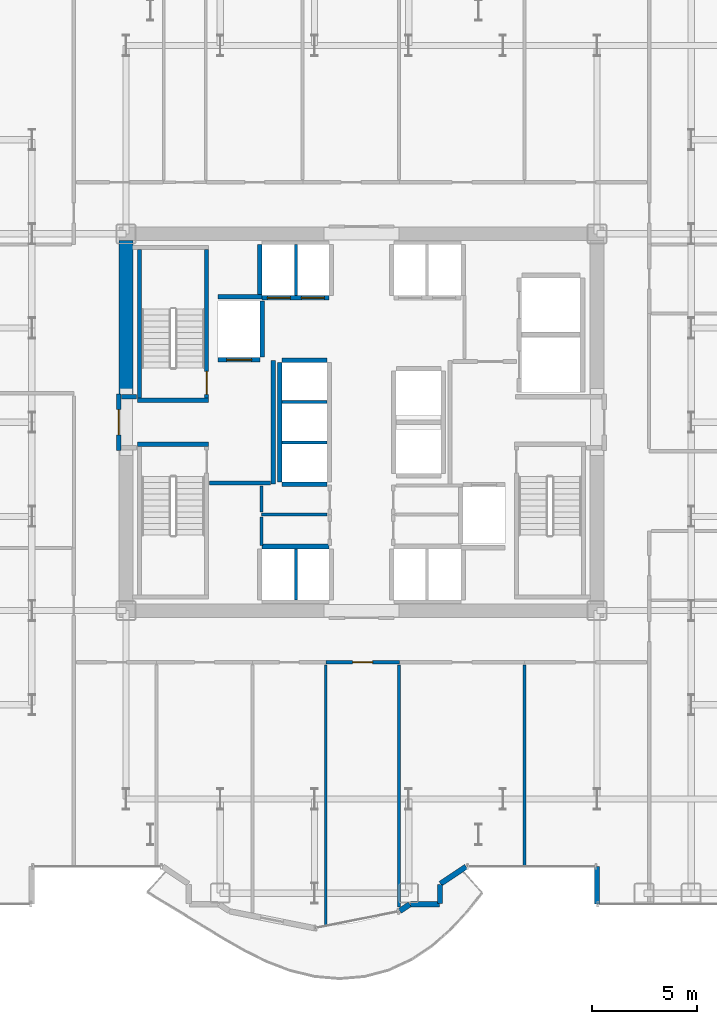
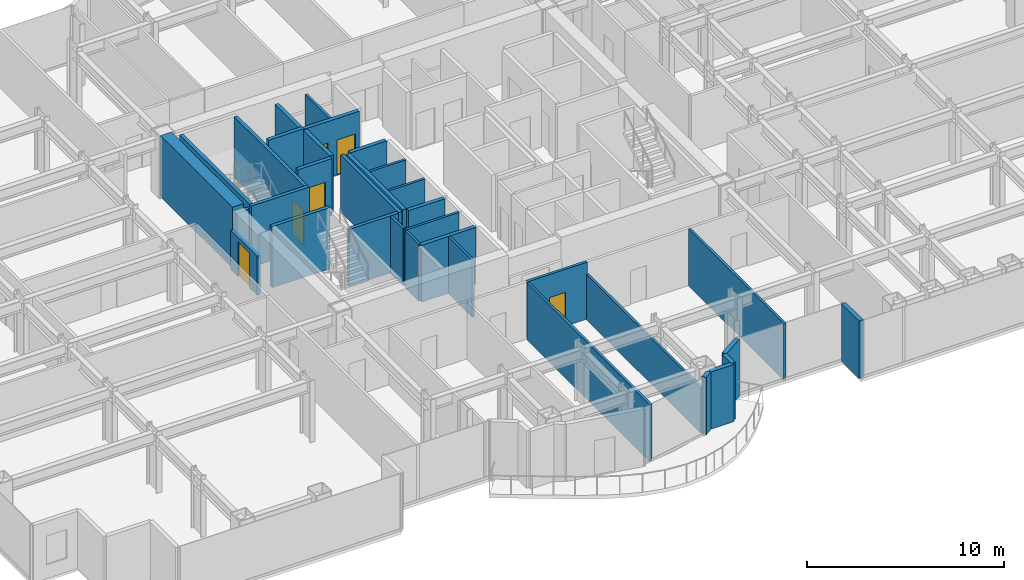
# One storey, part 23 of 29: 34 walls, 6 doors, 6 openings.
"""IFC4 building model written with IfcOpenShell, lengths in metres."""

from ifc_helpers import new_model, si_unit, direction, frame, frame_2d, origin, place, context, subcontext, project, spatial, rectangle, extrude, source, transform, mapped, material, layer, layer_set, type_object, element, fill, save


model = new_model("IFC4")

# Units and contexts
model_context = context("Model", 3, precision=1e-05, world=origin(), true_north=direction((0.0, 1.0)))
body_context = subcontext(model_context, "Body", "Model", "MODEL_VIEW")
ifc_project = project(units=[si_unit("LENGTHUNIT", "METRE"), si_unit("AREAUNIT", "SQUARE_METRE"), si_unit("VOLUMEUNIT", "CUBIC_METRE"), si_unit("PLANEANGLEUNIT", "RADIAN"), si_unit("MASSUNIT", "GRAM", prefix="KILO")], contexts=[model_context])

# Site, building, storey
site_placement = place(None, origin())
site = spatial("IfcSite", under=ifc_project, at=site_placement, CompositionType="ELEMENT")
building_placement = place(site_placement, origin())
building = spatial("IfcBuilding", under=site, at=building_placement, Name="Nefas-Gora Pilgrimage Tower", CompositionType="ELEMENT")
storey_placement = place(building_placement, frame((0.0, 0.0, 55.800048828125)))
storey = spatial("IfcBuildingStorey", under=building, at=storey_placement, Name="L12", CompositionType="ELEMENT", Elevation=55.800048828125)

# Walls
ifc_material_1 = material(Name="Concrete C60/75", Category="concrete")
ifc_layer_1 = layer(ifc_material_1, 0.64990234375)
ifc_layer_set_1 = layer_set([ifc_layer_1], Name="Concrete C60/75")
wall_type_1 = type_object("IfcWallType", Name="SW-CORE-650", PredefinedType="SHEAR", material=ifc_layer_set_1)
shared_shape_1 = source(origin(), body_context, "Body", "SweptSolid", [
    extrude(rectangle(XDim=7.324951171875, YDim=0.64990234375, at=frame_2d((3.66259765625, 0.0))), origin(), (0.0, 0.0, 1.0), 3.800048828125),
])
wall_1_placement = place(storey_placement, frame((-11.25, 1.35009765625, 0.0), z_axis=(0.0, 0.0, 1.0), x_axis=(0.0, 1.0, 0.0)))
element("IfcWall", 1, at=wall_1_placement, inside=storey, type_object=wall_type_1, Name="L12 Core Shear Wall W-North", PredefinedType="SHEAR", context=body_context, shape_type="MappedRepresentation", body=[
    mapped(shared_shape_1, transform((0.0, 0.0, 0.0), x_axis=(1.0, 0.0, 0.0), y_axis=(0.0, 1.0, 0.0), z_axis=(0.0, 0.0, 1.0), scale=1.0)),
])
ifc_material_2 = material(Name="Precast concrete C40/50", Category="concrete")
ifc_layer_2 = layer(ifc_material_2, 0.260009765625)
ifc_layer_set_2 = layer_set([ifc_layer_2], Name="Precast concrete C40/50")
wall_type_2 = type_object("IfcWallType", Name="EW-PORTAL-260", PredefinedType="SOLIDWALL", material=ifc_layer_set_2)
shared_shape_2 = source(origin(), body_context, "Body", "SweptSolid", [
    extrude(rectangle(XDim=1.800048828125, YDim=0.260009765625, at=frame_2d((0.89990234375, 0.0))), origin(), (0.0, 0.0, 1.0), 3.550048828125),
])
wall_2_placement = place(storey_placement, frame((11.25, -21.219970703125, 0.0), z_axis=(0.0, 0.0, 1.0), x_axis=(0.0, -1.0, 0.0)))
element("IfcWall", 2, at=wall_2_placement, inside=storey, type_object=wall_type_2, Name="L12 Lobe Shoulder Precast Spandrel Pier 5", PredefinedType="SOLIDWALL", context=body_context, shape_type="MappedRepresentation", body=[
    mapped(shared_shape_2, transform((0.0, 0.0, 0.0), x_axis=(1.0, 0.0, 0.0), y_axis=(0.0, 1.0, 0.0), z_axis=(0.0, 0.0, 1.0), scale=1.0)),
])
shared_shape_3 = source(origin(), body_context, "Body", "SweptSolid", [
    extrude(rectangle(XDim=1.468994140625, YDim=0.260009765625, at=frame_2d((0.734375, 0.0))), origin(), (0.0, 0.0, 1.0), 3.550048828125),
])
wall_3_placement = place(storey_placement, frame((3.773193359375, -22.0517578125, 0.0), z_axis=(0.0, 0.0, 1.0), x_axis=(0.831461760506, 0.555581983884, 0.0)))
element("IfcWall", 3, at=wall_3_placement, inside=storey, type_object=wall_type_2, Name="L12 Lobe Shoulder Precast Spandrel Pier 42", PredefinedType="SOLIDWALL", context=body_context, shape_type="MappedRepresentation", body=[
    mapped(shared_shape_3, transform((0.0, 0.0, 0.0), x_axis=(1.0, 0.0, 0.0), y_axis=(0.0, 1.0, 0.0), z_axis=(0.0, 0.0, 1.0), scale=1.0)),
])
shared_shape_4 = source(origin(), body_context, "Body", "SweptSolid", [
    extrude(rectangle(XDim=0.896728515625, YDim=0.260009765625, at=frame_2d((0.4482421875, 0.0))), origin(), (0.0, 0.0, 1.0), 3.550048828125),
])
wall_4_placement = place(storey_placement, frame((3.75, -22.991943359375, 0.0), z_axis=(0.0, 0.0, 1.0), x_axis=(0.0, 1.0, 0.0)))
element("IfcWall", 4, at=wall_4_placement, inside=storey, type_object=wall_type_2, Name="L12 Lobe Shoulder Precast Spandrel Pier 41", PredefinedType="SOLIDWALL", context=body_context, shape_type="MappedRepresentation", body=[
    mapped(shared_shape_4, transform((0.0, 0.0, 0.0), x_axis=(1.0, 0.0, 0.0), y_axis=(0.0, 1.0, 0.0), z_axis=(0.0, 0.0, 1.0), scale=1.0)),
])
shared_shape_5 = source(origin(), body_context, "Body", "SweptSolid", [
    extrude(rectangle(XDim=1.369873046875, YDim=0.260009765625, at=frame_2d((0.68505859375, 0.0))), origin(), (0.0, 0.0, 1.0), 3.550048828125),
])
wall_5_placement = place(storey_placement, frame((2.35205078125, -23.02001953125, 0.0), z_axis=(0.0, 0.0, 1.0), x_axis=(1.0, 0.0, 0.0)))
element("IfcWall", 5, at=wall_5_placement, inside=storey, type_object=wall_type_2, Name="L12 Lobe Shoulder Precast Spandrel Pier 40", PredefinedType="SOLIDWALL", context=body_context, shape_type="MappedRepresentation", body=[
    mapped(shared_shape_5, transform((0.0, 0.0, 0.0), x_axis=(1.0, 0.0, 0.0), y_axis=(0.0, 1.0, 0.0), z_axis=(0.0, 0.0, 1.0), scale=1.0)),
])
shared_shape_6 = source(origin(), body_context, "Body", "SweptSolid", [
    extrude(rectangle(XDim=0.5654296875, YDim=0.260009765625, at=frame_2d((0.28271484375, 0.0))), origin(), (0.0, 0.0, 1.0), 3.550048828125),
])
wall_6_placement = place(storey_placement, frame((1.83056640625, -23.349609375, 0.0), z_axis=(0.0, 0.0, 1.0), x_axis=(0.831651492666, 0.555297933317, 0.0)))
element("IfcWall", 6, at=wall_6_placement, inside=storey, type_object=wall_type_2, Name="L12 Lobe Shoulder Precast Spandrel Pier 39", PredefinedType="SOLIDWALL", context=body_context, shape_type="MappedRepresentation", body=[
    mapped(shared_shape_6, transform((0.0, 0.0, 0.0), x_axis=(1.0, 0.0, 0.0), y_axis=(0.0, 1.0, 0.0), z_axis=(0.0, 0.0, 1.0), scale=1.0)),
])
ifc_material_3 = material(Name="Concrete C45/55", Category="concrete")
ifc_layer_3 = layer(ifc_material_3, 0.199951171875)
ifc_layer_set_3 = layer_set([ifc_layer_3], Name="Concrete C45/55")
wall_type_3 = type_object("IfcWallType", Name="IW-STAIR-200", PredefinedType="SOLIDWALL", material=ifc_layer_set_3)
shared_shape_7 = source(origin(), body_context, "Body", "SweptSolid", [
    extrude(rectangle(XDim=3.39990234375, YDim=0.199951171875, at=frame_2d((1.699951171875, 0.0))), origin(), (0.0, 0.0, 1.0), 3.800048828125),
])
for number, where, z_axis, x_axis, name in (
    (7, (-7.300048828125, 1.050048828125, 0.0), (0.0, 0.0, 1.0), (-1.0, 0.0, 0.0), "L12 Stairwell Shear Wall ST-01-near"),
    (8, (-10.699951171875, -1.050048828125, 0.0), (0.0, 0.0, 1.0), (1.0, 0.0, 0.0), "L12 Stairwell Shear Wall ST-03-near"),
):
    element("IfcWall", number, at=place(storey_placement, frame(where, z_axis=z_axis, x_axis=x_axis)), inside=storey, type_object=wall_type_3, Name=name, PredefinedType="SOLIDWALL", context=body_context, shape_type="MappedRepresentation", body=[
        mapped(shared_shape_7, transform((0.0, 0.0, 0.0), x_axis=(1.0, 0.0, 0.0), y_axis=(0.0, 1.0, 0.0), z_axis=(0.0, 0.0, 1.0), scale=1.0)),
    ])

# Wall, opening, door
shared_shape_8 = source(origin(), body_context, "Body", "SweptSolid", [
    extrude(rectangle(XDim=7.10009765625, YDim=0.199951171875, at=frame_2d((3.550048828125, 0.0))), origin(), (0.0, 0.0, 1.0), 3.800048828125),
])
wall_7_placement = place(storey_placement, frame((-7.39990234375, 1.14990234375, 0.0), z_axis=(0.0, 0.0, 1.0), x_axis=(0.0, 1.0, 0.0)))
wall_7 = element("IfcWall", 9, at=wall_7_placement, inside=storey, type_object=wall_type_3, Name="L12 Stairwell Shear Wall ST-01-left", PredefinedType="SOLIDWALL", context=body_context, shape_type="MappedRepresentation", body=[
    mapped(shared_shape_8, transform((0.0, 0.0, 0.0), x_axis=(1.0, 0.0, 0.0), y_axis=(0.0, 1.0, 0.0), z_axis=(0.0, 0.0, 1.0), scale=1.0)),
])
opening_1_placement = place(wall_7_placement, frame((0.179931640625, 0.0, 0.0)))
opening_1 = element("IfcOpeningElement", 10, at=opening_1_placement, cuts=wall_7, Name="Opening ID-ST1", PredefinedType="OPENING", context=body_context, shape_type="SweptSolid", body=[
    extrude(rectangle(XDim=1.10009765625, YDim=2.14990234375, at=frame_2d((0.550048828125, 1.074951171875))), frame((0.0, 0.10986328125, 0.0), z_axis=(0.0, -1.0, 0.0), x_axis=(1.0, 0.0, 0.0)), (0.0, 0.0, 1.0), 0.219970703125),
])
ifc_material_4 = material(Name="Painted galvanised steel fire stair door", Category="steel")
door_type_1 = type_object("IfcDoorType", Name="DR-INT-STAIR-1100", OperationType="NOTDEFINED", PredefinedType="DOOR", material=ifc_material_4)
shared_shape_9 = source(origin(), body_context, "Body", "SweptSolid", [
    extrude(rectangle(XDim=1.10009765625, YDim=2.14990234375, at=frame_2d((0.550048828125, 1.074951171875))), frame((0.0, 0.02490234375, 0.0), z_axis=(0.0, -1.0, 0.0), x_axis=(1.0, 0.0, 0.0)), (0.0, 0.0, 1.0), 0.050048828125),
])
door_1_placement = place(opening_1_placement, origin())
door_1 = element("IfcDoor", 11, at=door_1_placement, inside=storey, type_object=door_type_1, Name="L12 Protected Exit Stair Door ST-01", OperationType="SINGLE_SWING_RIGHT", OverallHeight=2.14990234375, OverallWidth=1.10009765625, PredefinedType="DOOR", context=body_context, shape_type="MappedRepresentation", body=[
    mapped(shared_shape_9, transform((0.0, 0.0, 0.0), x_axis=(1.0, 0.0, 0.0), y_axis=(0.0, 1.0, 0.0), z_axis=(0.0, 0.0, 1.0), scale=1.0)),
])
fill(opening_1, door_1)

# Wall
wall_8_placement = place(storey_placement, frame((-10.60009765625, 1.14990234375, 0.0), z_axis=(0.0, 0.0, 1.0), x_axis=(0.0, 1.0, 0.0)))
element("IfcWall", 12, at=wall_8_placement, inside=storey, type_object=wall_type_3, Name="L12 Stairwell Shear Wall ST-01-right", PredefinedType="SOLIDWALL", context=body_context, shape_type="MappedRepresentation", body=[
    mapped(shared_shape_8, transform((0.0, 0.0, 0.0), x_axis=(1.0, 0.0, 0.0), y_axis=(0.0, 1.0, 0.0), z_axis=(0.0, 0.0, 1.0), scale=1.0)),
])

# Wall, opening, door
ifc_material_5 = material(Name="Concrete C40/50", Category="concrete")
ifc_layer_4 = layer(ifc_material_5, 0.219970703125)
ifc_layer_set_4 = layer_set([ifc_layer_4], Name="Concrete C40/50")
wall_type_4 = type_object("IfcWallType", Name="IW-SHAFT-220", PredefinedType="SOLIDWALL", material=ifc_layer_set_4)
shared_shape_10 = source(origin(), body_context, "Body", "SweptSolid", [
    extrude(rectangle(XDim=2.0, YDim=0.219970703125, at=frame_2d((1.0, 0.0))), origin(), (0.0, 0.0, 1.0), 3.534912109375),
])
wall_9_placement = place(storey_placement, frame((-6.85009765625, 2.989990234375, 0.0), z_axis=(0.0, 0.0, 1.0), x_axis=(1.0, 0.0, 0.0)))
wall_9 = element("IfcWall", 13, at=wall_9_placement, inside=storey, type_object=wall_type_4, Name="L12 Hoistway Wall FFL-01-S", PredefinedType="SOLIDWALL", context=body_context, shape_type="MappedRepresentation", body=[
    mapped(shared_shape_10, transform((0.0, 0.0, 0.0), x_axis=(1.0, 0.0, 0.0), y_axis=(0.0, 1.0, 0.0), z_axis=(0.0, 0.0, 1.0), scale=1.0)),
])
opening_2_placement = place(wall_9_placement, frame((0.39990234375, 0.0, 0.0)))
opening_2 = element("IfcOpeningElement", 14, at=opening_2_placement, cuts=wall_9, Name="Opening LD-FF", PredefinedType="OPENING", context=body_context, shape_type="SweptSolid", body=[
    extrude(rectangle(XDim=1.199951171875, YDim=2.199951171875, at=frame_2d((0.60009765625, 1.10009765625))), frame((0.0, 0.119873046875, 0.0), z_axis=(0.0, -1.0, 0.0), x_axis=(1.0, 0.0, 0.0)), (0.0, 0.0, 1.0), 0.239990234375),
])
ifc_material_6 = material(Name="Fire-service sliding lift landing door")
door_type_2 = type_object("IfcDoorType", Name="DR-LIFT-FSAE-1200", OperationType="SLIDING_TO_LEFT", PredefinedType="DOOR", material=ifc_material_6)
shared_shape_11 = source(origin(), body_context, "Body", "SweptSolid", [
    extrude(rectangle(XDim=1.199951171875, YDim=2.199951171875, at=frame_2d((0.60009765625, 1.10009765625))), frame((0.0, 0.02490234375, 0.0), z_axis=(0.0, -1.0, 0.0), x_axis=(1.0, 0.0, 0.0)), (0.0, 0.0, 1.0), 0.050048828125),
])
door_2_placement = place(opening_2_placement, origin())
door_2 = element("IfcDoor", 15, at=door_2_placement, inside=storey, type_object=door_type_2, Name="L12 Sliding Lift Landing Door FFL-01", OperationType="SLIDING_TO_LEFT", OverallHeight=2.199951171875, OverallWidth=1.199951171875, PredefinedType="DOOR", context=body_context, shape_type="MappedRepresentation", body=[
    mapped(shared_shape_11, transform((0.0, 0.0, 0.0), x_axis=(1.0, 0.0, 0.0), y_axis=(0.0, 1.0, 0.0), z_axis=(0.0, 0.0, 1.0), scale=1.0)),
])
fill(opening_2, door_2)

# Wall
shared_shape_12 = source(origin(), body_context, "Body", "SweptSolid", [
    extrude(rectangle(XDim=2.679931640625, YDim=0.219970703125, at=frame_2d((1.33984375, 0.0))), origin(), (0.0, 0.0, 1.0), 3.534912109375),
])
wall_10_placement = place(storey_placement, frame((-4.739990234375, 3.110107421875, 0.0), z_axis=(0.0, 0.0, 1.0), x_axis=(0.0, 1.0, 0.0)))
element("IfcWall", 16, at=wall_10_placement, inside=storey, type_object=wall_type_4, Name="L12 Hoistway Wall FFL-01-E", PredefinedType="SOLIDWALL", context=body_context, shape_type="MappedRepresentation", body=[
    mapped(shared_shape_12, transform((0.0, 0.0, 0.0), x_axis=(1.0, 0.0, 0.0), y_axis=(0.0, 1.0, 0.0), z_axis=(0.0, 0.0, 1.0), scale=1.0)),
])

# Wall, openings, doors
shared_shape_13 = source(origin(), body_context, "Body", "SweptSolid", [
    extrude(rectangle(XDim=3.199951171875, YDim=0.219970703125, at=frame_2d((1.60009765625, 0.0))), origin(), (0.0, 0.0, 1.0), 3.534912109375),
])
wall_11_placement = place(storey_placement, frame((-4.75, 5.93994140625, 0.0), z_axis=(0.0, 0.0, 1.0), x_axis=(1.0, 0.0, 0.0)))
wall_11 = element("IfcWall", 17, at=wall_11_placement, inside=storey, type_object=wall_type_4, Name="L12 Hoistway Wall PL1-W-S", PredefinedType="SOLIDWALL", context=body_context, shape_type="MappedRepresentation", body=[
    mapped(shared_shape_13, transform((0.0, 0.0, 0.0), x_axis=(1.0, 0.0, 0.0), y_axis=(0.0, 1.0, 0.0), z_axis=(0.0, 0.0, 1.0), scale=1.0)),
])
opening_3_placement = place(wall_11_placement, frame((0.25, 0.0, 0.0)))
opening_3 = element("IfcOpeningElement", 18, at=opening_3_placement, cuts=wall_11, Name="Opening LD-01", PredefinedType="OPENING", context=body_context, shape_type="SweptSolid", body=[
    extrude(rectangle(XDim=1.10009765625, YDim=2.199951171875, at=frame_2d((0.550048828125, 1.10009765625))), frame((0.0, 0.119873046875, 0.0), z_axis=(0.0, -1.0, 0.0), x_axis=(1.0, 0.0, 0.0)), (0.0, 0.0, 1.0), 0.239990234375),
])
opening_4_placement = place(wall_11_placement, frame((1.875, 0.0, 0.0)))
opening_4 = element("IfcOpeningElement", 19, at=opening_4_placement, cuts=wall_11, Name="Opening LD-01", PredefinedType="OPENING", context=body_context, shape_type="SweptSolid", body=[
    extrude(rectangle(XDim=1.10009765625, YDim=2.199951171875, at=frame_2d((0.550048828125, 1.10009765625))), frame((0.0, 0.119873046875, 0.0), z_axis=(0.0, -1.0, 0.0), x_axis=(1.0, 0.0, 0.0)), (0.0, 0.0, 1.0), 0.239990234375),
])
ifc_material_7 = material(Name="Brushed stainless sliding lift landing door")
door_type_3 = type_object("IfcDoorType", Name="DR-LIFT-PASS-1100", OperationType="DOUBLE_DOOR_SLIDING", PredefinedType="DOOR", material=ifc_material_7)
shared_shape_14 = source(origin(), body_context, "Body", "SweptSolid", [
    extrude(rectangle(XDim=1.10009765625, YDim=2.199951171875, at=frame_2d((0.550048828125, 1.10009765625))), frame((0.0, 0.02490234375, 0.0), z_axis=(0.0, -1.0, 0.0), x_axis=(1.0, 0.0, 0.0)), (0.0, 0.0, 1.0), 0.050048828125),
])
door_3_placement = place(opening_3_placement, origin())
door_3 = element("IfcDoor", 20, at=door_3_placement, inside=storey, type_object=door_type_3, Name="L12 Sliding Lift Landing Door PL1-01", OperationType="DOUBLE_DOOR_SLIDING", OverallHeight=2.199951171875, OverallWidth=1.10009765625, PredefinedType="DOOR", context=body_context, shape_type="MappedRepresentation", body=[
    mapped(shared_shape_14, transform((0.0, 0.0, 0.0), x_axis=(1.0, 0.0, 0.0), y_axis=(0.0, 1.0, 0.0), z_axis=(0.0, 0.0, 1.0), scale=1.0)),
])
fill(opening_3, door_3)
door_4_placement = place(opening_4_placement, origin())
door_4 = element("IfcDoor", 21, at=door_4_placement, inside=storey, type_object=door_type_3, Name="L12 Sliding Lift Landing Door PL1-02", OperationType="DOUBLE_DOOR_SLIDING", OverallHeight=2.199951171875, OverallWidth=1.10009765625, PredefinedType="DOOR", context=body_context, shape_type="MappedRepresentation", body=[
    mapped(shared_shape_14, transform((0.0, 0.0, 0.0), x_axis=(1.0, 0.0, 0.0), y_axis=(0.0, 1.0, 0.0), z_axis=(0.0, 0.0, 1.0), scale=1.0)),
])
fill(opening_4, door_4)

# Walls
wall_12_placement = place(storey_placement, frame((-1.550048828125, -5.93994140625, 0.0), z_axis=(0.0, 0.0, 1.0), x_axis=(-1.0, 0.0, 0.0)))
element("IfcWall", 22, at=wall_12_placement, inside=storey, type_object=wall_type_4, Name="L12 Hoistway Wall PL2-W-N", PredefinedType="SOLIDWALL", context=body_context, shape_type="MappedRepresentation", body=[
    mapped(shared_shape_13, transform((0.0, 0.0, 0.0), x_axis=(1.0, 0.0, 0.0), y_axis=(0.0, 1.0, 0.0), z_axis=(0.0, 0.0, 1.0), scale=1.0)),
])
shared_shape_15 = source(origin(), body_context, "Body", "SweptSolid", [
    extrude(rectangle(XDim=2.429931640625, YDim=0.219970703125, at=frame_2d((1.21484375, 0.0))), origin(), (0.0, 0.0, 1.0), 3.534912109375),
])
wall_13_placement = place(storey_placement, frame((-4.860107421875, 8.489990234375, 0.0), z_axis=(0.0, 0.0, 1.0), x_axis=(0.0, -1.0, 0.0)))
element("IfcWall", 23, at=wall_13_placement, inside=storey, type_object=wall_type_4, Name="L12 Hoistway Wall PL1-W-W", PredefinedType="SOLIDWALL", context=body_context, shape_type="MappedRepresentation", body=[
    mapped(shared_shape_15, transform((0.0, 0.0, 0.0), x_axis=(1.0, 0.0, 0.0), y_axis=(0.0, 1.0, 0.0), z_axis=(0.0, 0.0, 1.0), scale=1.0)),
])
ifc_material_8 = material(Name="Gypsum twin-stud partition")
ifc_layer_5 = layer(ifc_material_8, 0.139892578125)
ifc_layer_set_5 = layer_set([ifc_layer_5], Name="Gypsum twin-stud partition")
wall_type_5 = type_object("IfcWallType", Name="IW-UNIT-140", PredefinedType="PARTITIONING", material=ifc_layer_set_5)
shared_shape_16 = source(origin(), body_context, "Body", "SweptSolid", [
    extrude(rectangle(XDim=2.429931640625, YDim=0.139892578125, at=frame_2d((1.21484375, 0.0))), origin(), (0.0, 0.0, 1.0), 3.534912109375),
])
for number, where, z_axis, x_axis, name in (
    (24, (-3.125, 6.06005859375, 0.0), (0.0, 0.0, 1.0), (0.0, 1.0, 0.0), "L12 Hoistway Wall PL1-W-DIV"),
    (25, (-3.125, -8.489990234375, 0.0), (0.0, 0.0, 1.0), (0.0, 1.0, 0.0), "L12 Hoistway Wall PL2-W-DIV"),
):
    element("IfcWall", number, at=place(storey_placement, frame(where, z_axis=z_axis, x_axis=x_axis)), inside=storey, type_object=wall_type_5, Name=name, PredefinedType="PARTITIONING", context=body_context, shape_type="MappedRepresentation", body=[
        mapped(shared_shape_16, transform((0.0, 0.0, 0.0), x_axis=(1.0, 0.0, 0.0), y_axis=(0.0, 1.0, 0.0), z_axis=(0.0, 0.0, 1.0), scale=1.0)),
    ])
shared_shape_17 = source(origin(), body_context, "Body", "SweptSolid", [
    extrude(rectangle(XDim=5.7001953125, YDim=0.219970703125, at=frame_2d((2.85009765625, 0.0))), origin(), (0.0, 0.0, 1.0), 3.534912109375),
])
wall_14_placement = place(storey_placement, frame((-3.909912109375, 2.85009765625, 0.0), z_axis=(0.0, 0.0, 1.0), x_axis=(0.0, -1.0, 0.0)))
element("IfcWall", 26, at=wall_14_placement, inside=storey, type_object=wall_type_4, Name="L12 Hoistway Wall PL3-01-03-W", PredefinedType="SOLIDWALL", context=body_context, shape_type="MappedRepresentation", body=[
    mapped(shared_shape_17, transform((0.0, 0.0, 0.0), x_axis=(1.0, 0.0, 0.0), y_axis=(0.0, 1.0, 0.0), z_axis=(0.0, 0.0, 1.0), scale=1.0)),
])
shared_shape_18 = source(origin(), body_context, "Body", "SweptSolid", [
    extrude(rectangle(XDim=2.130126953125, YDim=0.219970703125, at=frame_2d((1.06494140625, 0.0))), origin(), (0.0, 0.0, 1.0), 3.534912109375),
])
for number, where, z_axis, x_axis, name in (
    (27, (-3.7900390625, -2.9599609375, 0.0), (0.0, 0.0, 1.0), (1.0, 0.0, 0.0), "L12 Hoistway Wall PL3-01-S"),
    (28, (-1.659912109375, 2.9599609375, 0.0), (0.0, 0.0, 1.0), (-1.0, 0.0, 0.0), "L12 Hoistway Wall PL3-03-N"),
):
    element("IfcWall", number, at=place(storey_placement, frame(where, z_axis=z_axis, x_axis=x_axis)), inside=storey, type_object=wall_type_4, Name=name, PredefinedType="SOLIDWALL", context=body_context, shape_type="MappedRepresentation", body=[
        mapped(shared_shape_18, transform((0.0, 0.0, 0.0), x_axis=(1.0, 0.0, 0.0), y_axis=(0.0, 1.0, 0.0), z_axis=(0.0, 0.0, 1.0), scale=1.0)),
    ])
shared_shape_19 = source(origin(), body_context, "Body", "SweptSolid", [
    extrude(rectangle(XDim=2.130126953125, YDim=0.139892578125, at=frame_2d((1.06494140625, 0.0))), origin(), (0.0, 0.0, 1.0), 3.534912109375),
])
for number, where, z_axis, x_axis, name in (
    (29, (-3.7900390625, -0.97509765625, 0.0), (0.0, 0.0, 1.0), (1.0, 0.0, 0.0), "L12 Hoistway Wall PL3-01-02-DIV"),
    (30, (-3.7900390625, 0.97509765625, 0.0), (0.0, 0.0, 1.0), (1.0, 0.0, 0.0), "L12 Hoistway Wall PL3-02-03-DIV"),
):
    element("IfcWall", number, at=place(storey_placement, frame(where, z_axis=z_axis, x_axis=x_axis)), inside=storey, type_object=wall_type_5, Name=name, PredefinedType="PARTITIONING", context=body_context, shape_type="MappedRepresentation", body=[
        mapped(shared_shape_19, transform((0.0, 0.0, 0.0), x_axis=(1.0, 0.0, 0.0), y_axis=(0.0, 1.0, 0.0), z_axis=(0.0, 0.0, 1.0), scale=1.0)),
    ])
shared_shape_20 = source(origin(), body_context, "Body", "SweptSolid", [
    extrude(rectangle(XDim=2.09521484375, YDim=0.219970703125, at=frame_2d((1.047607421875, 0.0))), origin(), (0.0, 0.0, 1.0), 3.534912109375),
])
wall_15_placement = place(storey_placement, frame((-6.85009765625, 6.0, 0.0), z_axis=(0.0, 0.0, 1.0), x_axis=(1.0, 0.0, 0.0)))
element("IfcWall", 31, at=wall_15_placement, inside=storey, type_object=wall_type_4, Name="L12 Riser Shaft Wall 1", PredefinedType="SOLIDWALL", context=body_context, shape_type="MappedRepresentation", body=[
    mapped(shared_shape_20, transform((0.0, 0.0, 0.0), x_axis=(1.0, 0.0, 0.0), y_axis=(0.0, 1.0, 0.0), z_axis=(0.0, 0.0, 1.0), scale=1.0)),
])

# Wall, opening, door
ifc_material_9 = material(Name="Gypsum fire-rated shaftwall")
ifc_layer_6 = layer(ifc_material_9, 0.199951171875)
ifc_layer_set_6 = layer_set([ifc_layer_6], Name="Gypsum fire-rated shaftwall")
wall_type_6 = type_object("IfcWallType", Name="IW-FFLOB-200", PredefinedType="PARTITIONING", material=ifc_layer_set_6)
shared_shape_21 = source(origin(), body_context, "Body", "SweptSolid", [
    extrude(rectangle(XDim=2.7001953125, YDim=0.199951171875, at=frame_2d((1.35009765625, 0.0))), origin(), (0.0, 0.0, 1.0), 2.425048828125),
])
wall_16_placement = place(storey_placement, frame((-11.60009765625, -1.35009765625, 0.0), z_axis=(0.0, 0.0, 1.0), x_axis=(0.0, 1.0, 0.0)))
wall_16 = element("IfcWall", 32, at=wall_16_placement, inside=storey, type_object=wall_type_6, Name="L12 FF Lobby West Portal Wall 3", PredefinedType="PARTITIONING", context=body_context, shape_type="MappedRepresentation", body=[
    mapped(shared_shape_21, transform((0.0, 0.0, 0.0), x_axis=(1.0, 0.0, 0.0), y_axis=(0.0, 1.0, 0.0), z_axis=(0.0, 0.0, 1.0), scale=1.0)),
])
opening_5_placement = place(wall_16_placement, frame((0.75, 0.0, 0.0)))
opening_5 = element("IfcOpeningElement", 33, at=opening_5_placement, cuts=wall_16, Name="Opening ID-FF1", PredefinedType="OPENING", context=body_context, shape_type="SweptSolid", body=[
    extrude(rectangle(XDim=1.199951171875, YDim=2.14990234375, at=frame_2d((0.60009765625, 1.074951171875))), frame((0.0, 0.10986328125, 0.0), z_axis=(0.0, -1.0, 0.0), x_axis=(1.0, 0.0, 0.0)), (0.0, 0.0, 1.0), 0.219970703125),
])
ifc_material_10 = material(Name="Smoke-sealed steel firefighting lobby door", Category="steel")
door_type_4 = type_object("IfcDoorType", Name="DR-INT-FFLOB-1200", OperationType="NOTDEFINED", PredefinedType="DOOR", material=ifc_material_10)
shared_shape_22 = source(origin(), body_context, "Body", "SweptSolid", [
    extrude(rectangle(XDim=1.199951171875, YDim=2.14990234375, at=frame_2d((0.60009765625, 1.074951171875))), frame((0.0, 0.02490234375, 0.0), z_axis=(0.0, -1.0, 0.0), x_axis=(1.0, 0.0, 0.0)), (0.0, 0.0, 1.0), 0.050048828125),
])
door_5_placement = place(opening_5_placement, origin())
door_5 = element("IfcDoor", 34, at=door_5_placement, inside=storey, type_object=door_type_4, Name="L12 FF Lobby West Portal Door 1", OperationType="SINGLE_SWING_RIGHT", OverallHeight=2.14990234375, OverallWidth=1.199951171875, PredefinedType="DOOR", context=body_context, shape_type="MappedRepresentation", body=[
    mapped(shared_shape_22, transform((0.0, 0.0, 0.0), x_axis=(1.0, 0.0, 0.0), y_axis=(0.0, 1.0, 0.0), z_axis=(0.0, 0.0, 1.0), scale=1.0)),
])
fill(opening_5, door_5)

# Walls
shared_shape_23 = source(origin(), body_context, "Body", "SweptSolid", [
    extrude(rectangle(XDim=5.89990234375, YDim=0.199951171875, at=frame_2d((2.949951171875, 0.0))), origin(), (0.0, 0.0, 1.0), 3.534912109375),
])
wall_17_placement = place(storey_placement, frame((-4.219970703125, -2.949951171875, 0.0), z_axis=(0.0, 0.0, 1.0), x_axis=(0.0, 1.0, 0.0)))
element("IfcWall", 35, at=wall_17_placement, inside=storey, type_object=wall_type_6, Name="L12 FF Lobby West Inner Wall Wall 4", PredefinedType="PARTITIONING", context=body_context, shape_type="MappedRepresentation", body=[
    mapped(shared_shape_23, transform((0.0, 0.0, 0.0), x_axis=(1.0, 0.0, 0.0), y_axis=(0.0, 1.0, 0.0), z_axis=(0.0, 0.0, 1.0), scale=1.0)),
])
shared_shape_24 = source(origin(), body_context, "Body", "SweptSolid", [
    extrude(rectangle(XDim=2.89990234375, YDim=0.199951171875, at=frame_2d((1.449951171875, 0.0))), origin(), (0.0, 0.0, 1.0), 3.534912109375),
])
wall_18_placement = place(storey_placement, frame((-7.260009765625, -2.89990234375, 0.0), z_axis=(0.0, 0.0, 1.0), x_axis=(1.0, 0.0, 0.0)))
element("IfcWall", 36, at=wall_18_placement, inside=storey, type_object=wall_type_6, Name="L12 FF Lobby West South Wall Wall 5", PredefinedType="PARTITIONING", context=body_context, shape_type="MappedRepresentation", body=[
    mapped(shared_shape_24, transform((0.0, 0.0, 0.0), x_axis=(1.0, 0.0, 0.0), y_axis=(0.0, 1.0, 0.0), z_axis=(0.0, 0.0, 1.0), scale=1.0)),
])
shared_shape_25 = source(origin(), body_context, "Body", "SweptSolid", [
    extrude(rectangle(XDim=0.719970703125, YDim=0.199951171875, at=frame_2d((0.35986328125, 0.0))), origin(), (0.0, 0.0, 1.0), 3.534912109375),
])
wall_19_placement = place(storey_placement, frame((-11.4599609375, 1.219970703125, 0.0), z_axis=(0.0, 0.0, 1.0), x_axis=(1.0, 0.0, 0.0)))
element("IfcWall", 37, at=wall_19_placement, inside=storey, type_object=wall_type_6, Name="L12 FF Lobby West Throat N Wall 6", PredefinedType="PARTITIONING", context=body_context, shape_type="MappedRepresentation", body=[
    mapped(shared_shape_25, transform((0.0, 0.0, 0.0), x_axis=(1.0, 0.0, 0.0), y_axis=(0.0, 1.0, 0.0), z_axis=(0.0, 0.0, 1.0), scale=1.0)),
])
shared_shape_26 = source(origin(), body_context, "Body", "SweptSolid", [
    extrude(rectangle(XDim=9.64990234375, YDim=0.139892578125, at=frame_2d((4.824951171875, 0.0))), origin(), (0.0, 0.0, 1.0), 3.534912109375),
])
wall_20_placement = place(storey_placement, frame((7.794921875, -21.239990234375, 0.0), z_axis=(0.0, 0.0, 1.0), x_axis=(0.0, 1.0, 0.0)))
element("IfcWall", 38, at=wall_20_placement, inside=storey, type_object=wall_type_5, Name="L12 Pilgrim Contemplative Lounge Partition Wall 63", PredefinedType="PARTITIONING", context=body_context, shape_type="MappedRepresentation", body=[
    mapped(shared_shape_26, transform((0.0, 0.0, 0.0), x_axis=(1.0, 0.0, 0.0), y_axis=(0.0, 1.0, 0.0), z_axis=(0.0, 0.0, 1.0), scale=1.0)),
])
shared_shape_27 = source(origin(), body_context, "Body", "SweptSolid", [
    extrude(rectangle(XDim=3.150146484375, YDim=0.139892578125, at=frame_2d((1.5751953125, 0.0))), origin(), (0.0, 0.0, 1.0), 3.534912109375),
])
wall_21_placement = place(storey_placement, frame((-4.7900390625, -4.409912109375, 0.0), z_axis=(0.0, 0.0, 1.0), x_axis=(1.0, 0.0, 0.0)))
element("IfcWall", 39, at=wall_21_placement, inside=storey, type_object=wall_type_5, Name="L12 Housekeeping and Linen Store Partition Wall 17", PredefinedType="PARTITIONING", context=body_context, shape_type="MappedRepresentation", body=[
    mapped(shared_shape_27, transform((0.0, 0.0, 0.0), x_axis=(1.0, 0.0, 0.0), y_axis=(0.0, 1.0, 0.0), z_axis=(0.0, 0.0, 1.0), scale=1.0)),
])
shared_shape_28 = source(origin(), body_context, "Body", "SweptSolid", [
    extrude(rectangle(XDim=1.260009765625, YDim=0.139892578125, at=frame_2d((0.6298828125, 0.0))), origin(), (0.0, 0.0, 1.0), 3.534912109375),
])
wall_22_placement = place(storey_placement, frame((-4.780029296875, -4.300048828125, 0.0), z_axis=(0.0, 0.0, 1.0), x_axis=(0.0, 1.0, 0.0)))
element("IfcWall", 40, at=wall_22_placement, inside=storey, type_object=wall_type_5, Name="L12 Housekeeping and Linen Store Partition Wall 18", PredefinedType="PARTITIONING", context=body_context, shape_type="MappedRepresentation", body=[
    mapped(shared_shape_28, transform((0.0, 0.0, 0.0), x_axis=(1.0, 0.0, 0.0), y_axis=(0.0, 1.0, 0.0), z_axis=(0.0, 0.0, 1.0), scale=1.0)),
])
shared_shape_29 = source(origin(), body_context, "Body", "SweptSolid", [
    extrude(rectangle(XDim=1.369873046875, YDim=0.139892578125, at=frame_2d((0.68505859375, 0.0))), origin(), (0.0, 0.0, 1.0), 3.534912109375),
])
wall_23_placement = place(storey_placement, frame((-4.780029296875, -5.889892578125, 0.0), z_axis=(0.0, 0.0, 1.0), x_axis=(0.0, 1.0, 0.0)))
element("IfcWall", 41, at=wall_23_placement, inside=storey, type_object=wall_type_5, Name="L12 Guest Self-Service Laundry Room Partition Wall 20", PredefinedType="PARTITIONING", context=body_context, shape_type="MappedRepresentation", body=[
    mapped(shared_shape_29, transform((0.0, 0.0, 0.0), x_axis=(1.0, 0.0, 0.0), y_axis=(0.0, 1.0, 0.0), z_axis=(0.0, 0.0, 1.0), scale=1.0)),
])
shared_shape_30 = source(origin(), body_context, "Body", "SweptSolid", [
    extrude(rectangle(XDim=12.4951171875, YDim=0.139892578125, at=frame_2d((6.24755859375, 0.0))), origin(), (0.0, 0.0, 1.0), 3.534912109375),
])
wall_24_placement = place(storey_placement, frame((-1.7099609375, -24.085205078125, 0.0), z_axis=(0.0, 0.0, 1.0), x_axis=(0.0, 1.0, 0.0)))
element("IfcWall", 42, at=wall_24_placement, inside=storey, type_object=wall_type_5, Name="L12 Pilgrim Contemplative Lounge Partition Wall 59", PredefinedType="PARTITIONING", context=body_context, shape_type="MappedRepresentation", body=[
    mapped(shared_shape_30, transform((0.0, 0.0, 0.0), x_axis=(1.0, 0.0, 0.0), y_axis=(0.0, 1.0, 0.0), z_axis=(0.0, 0.0, 1.0), scale=1.0)),
])
shared_shape_31 = source(origin(), body_context, "Body", "SweptSolid", [
    extrude(rectangle(XDim=11.581298828125, YDim=0.139892578125, at=frame_2d((5.79052734375, 0.0))), origin(), (0.0, 0.0, 1.0), 2.824951171875),
])
wall_25_placement = place(storey_placement, frame((1.794921875, -23.17138671875, 0.0), z_axis=(0.0, 0.0, 1.0), x_axis=(0.0, 1.0, 0.0)))
element("IfcWall", 43, at=wall_25_placement, inside=storey, type_object=wall_type_5, Name="L12 Pastoral Chaplains Counselling Office Partition Wall 61", PredefinedType="PARTITIONING", context=body_context, shape_type="MappedRepresentation", body=[
    mapped(shared_shape_31, transform((0.0, 0.0, 0.0), x_axis=(1.0, 0.0, 0.0), y_axis=(0.0, 1.0, 0.0), z_axis=(0.0, 0.0, 1.0), scale=1.0)),
])

# Wall, opening, door
ifc_material_11 = material(Name="Gypsum acoustic stud partition")
ifc_layer_7 = layer(ifc_material_11, 0.159912109375)
ifc_layer_set_7 = layer_set([ifc_layer_7], Name="Gypsum acoustic stud partition")
wall_type_7 = type_object("IfcWallType", Name="IW-CORR-160", PredefinedType="PARTITIONING", material=ifc_layer_set_7)
shared_shape_32 = source(origin(), body_context, "Body", "SweptSolid", [
    extrude(rectangle(XDim=3.5048828125, YDim=0.159912109375, at=frame_2d((1.75244140625, 0.0))), origin(), (0.0, 0.0, 1.0), 3.534912109375),
])
wall_26_placement = place(storey_placement, frame((-1.699951171875, -11.469970703125, 0.0), z_axis=(0.0, 0.0, 1.0), x_axis=(1.0, 0.0, 0.0)))
wall_26 = element("IfcWall", 44, at=wall_26_placement, inside=storey, type_object=wall_type_7, Name="L12 Pastoral Chaplains Counselling Office Partition Wall 60", PredefinedType="PARTITIONING", context=body_context, shape_type="MappedRepresentation", body=[
    mapped(shared_shape_32, transform((0.0, 0.0, 0.0), x_axis=(1.0, 0.0, 0.0), y_axis=(0.0, 1.0, 0.0), z_axis=(0.0, 0.0, 1.0), scale=1.0)),
])
opening_6_placement = place(wall_26_placement, frame((1.277587890625, 0.0, 0.0)))
opening_6 = element("IfcOpeningElement", 45, at=opening_6_placement, cuts=wall_26, Name="Opening ID-GR1", PredefinedType="OPENING", context=body_context, shape_type="SweptSolid", body=[
    extrude(rectangle(XDim=0.949951171875, YDim=2.10009765625, at=frame_2d((0.47509765625, 1.050048828125))), frame((0.0, 0.08984375, 0.0), z_axis=(0.0, -1.0, 0.0), x_axis=(1.0, 0.0, 0.0)), (0.0, 0.0, 1.0), 0.179931640625),
])
ifc_material_12 = material(Name="Solid core oak fire-rated guest entrance door")
door_type_5 = type_object("IfcDoorType", Name="DR-INT-GUEST-950", OperationType="NOTDEFINED", PredefinedType="DOOR", material=ifc_material_12)
shared_shape_33 = source(origin(), body_context, "Body", "SweptSolid", [
    extrude(rectangle(XDim=0.949951171875, YDim=2.10009765625, at=frame_2d((0.47509765625, 1.050048828125))), frame((0.0, 0.02490234375, 0.0), z_axis=(0.0, -1.0, 0.0), x_axis=(1.0, 0.0, 0.0)), (0.0, 0.0, 1.0), 0.050048828125),
])
door_6_placement = place(opening_6_placement, origin())
door_6 = element("IfcDoor", 46, at=door_6_placement, inside=storey, type_object=door_type_5, Name="L12 Pastoral Chaplains Counselling Office Door 29", OperationType="SINGLE_SWING_RIGHT", OverallHeight=2.10009765625, OverallWidth=0.949951171875, PredefinedType="DOOR", context=body_context, shape_type="MappedRepresentation", body=[
    mapped(shared_shape_33, transform((0.0, 0.0, 0.0), x_axis=(1.0, 0.0, 0.0), y_axis=(0.0, 1.0, 0.0), z_axis=(0.0, 0.0, 1.0), scale=1.0)),
])
fill(opening_6, door_6)

save(model, "model.ifc")
